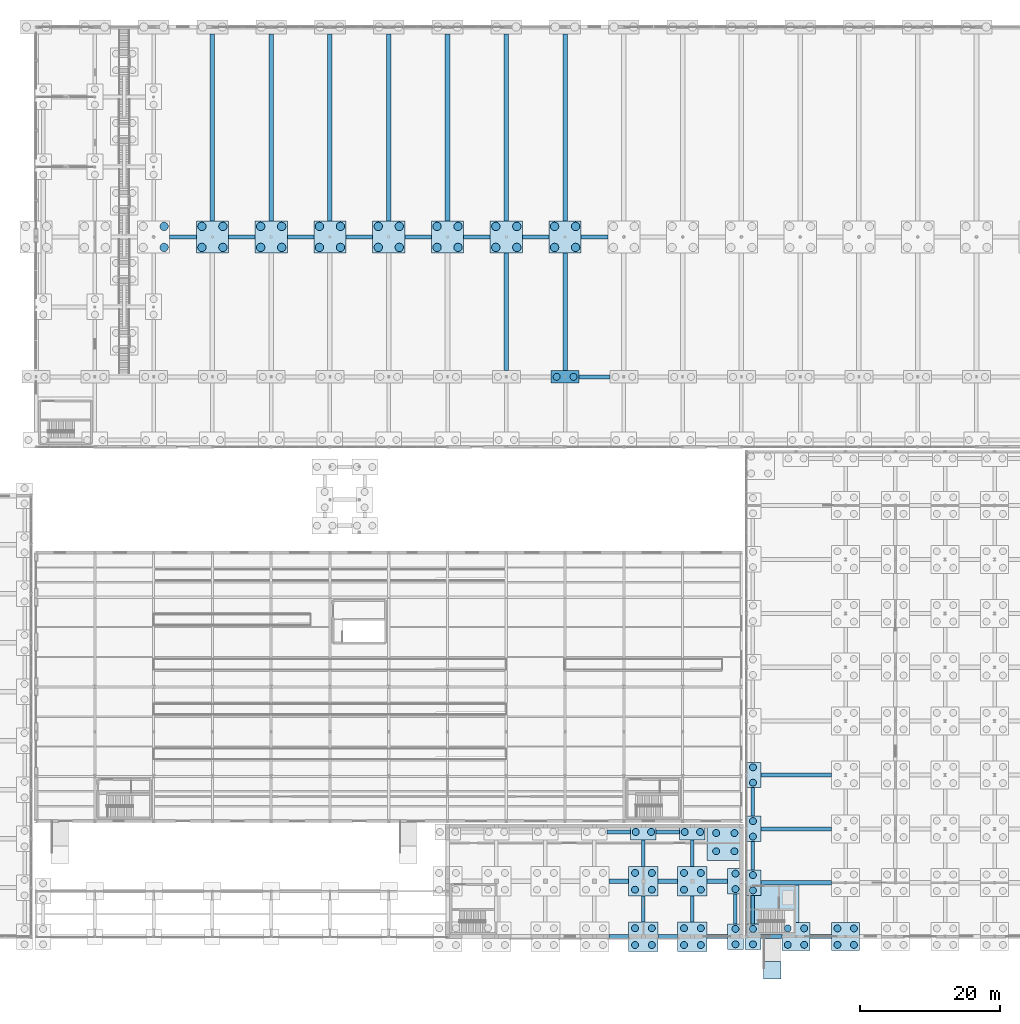
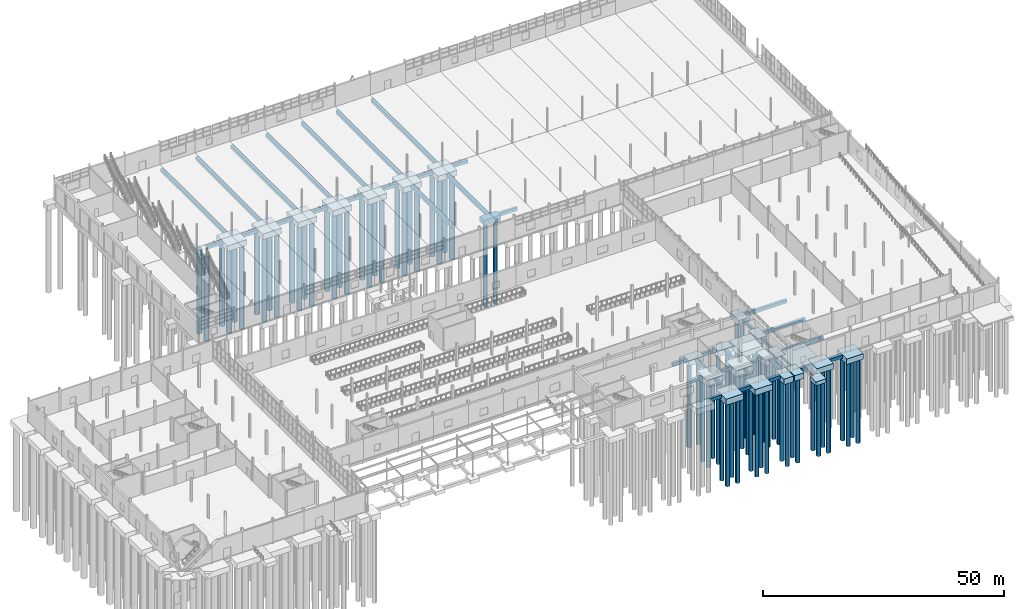
# One storey, part 6 of 139: 76 piles, 64 footings.
"""IFC4 building model written with IfcOpenShell, lengths in metres."""

from ifc_helpers import new_model, si_unit, direction, frame, origin, origin_2d, place, context, subcontext, project, spatial, polyline, rectangle, circle, outline, extrude, material, material_profile, profile_set, type_object, element, save


model = new_model("IFC4")

# Units and contexts
model_context = context("Model", 3, precision=1e-05, world=origin(), true_north=direction((0.0, 1.0)))
body_context = subcontext(model_context, "Body", "Model", "MODEL_VIEW")
ifc_project = project(units=[si_unit("LENGTHUNIT", "METRE"), si_unit("AREAUNIT", "SQUARE_METRE"), si_unit("VOLUMEUNIT", "CUBIC_METRE"), si_unit("PLANEANGLEUNIT", "RADIAN"), si_unit("MASSUNIT", "GRAM", prefix="KILO")], contexts=[model_context])

# Site, building, storey
site_placement = place(None, origin())
site = spatial("IfcSite", under=ifc_project, at=site_placement, CompositionType="ELEMENT")
building_placement = place(site_placement, origin())
building = spatial("IfcBuilding", under=site, at=building_placement, Name="Kazenagashi Tramway Depot", CompositionType="ELEMENT")
storey_placement = place(building_placement, origin())
storey = spatial("IfcBuildingStorey", under=building, at=storey_placement, Name="L01", CompositionType="ELEMENT", Elevation=0.0)

# Piles
ifc_material = material(Name="Concrete Fc30", Category="concrete")
ifc_material_profile_1 = material_profile(ifc_material, circle(Radius=0.5, at=origin_2d()), Name="PILE-1000")
ifc_profile_set_1 = profile_set([ifc_material_profile_1], Name="Concrete Fc30")
pile_type_1 = type_object("IfcPileType", Name="BP-01", PredefinedType="BORED", material=ifc_profile_set_1)
for number, where, z_axis, x_axis, name in (
    (1, (119.2, 80.0, -1.65), (0.0, 0.0, -1.0), (1.0, 0.0, 0.0), "Bored Pile BP-01 PILE-0171"),
    (2, (121.6, 80.0, -1.65), (0.0, 0.0, -1.0), (1.0, 0.0, 0.0), "Bored Pile BP-01 PILE-0172"),
    (3, (147.25, -1.1, -1.65), (0.0, 0.0, -1.0), (1.0, 0.0, 0.0), "Bored Pile BP-01 PILE-0479"),
    (4, (147.25, 1.1, -1.65), (0.0, 0.0, -1.0), (1.0, 0.0, 0.0), "Bored Pile BP-01 PILE-0480"),
    (5, (147.25, 6.6, -1.65), (0.0, 0.0, -1.0), (1.0, 0.0, 0.0), "Bored Pile BP-01 PILE-0481"),
    (6, (147.25, 8.8, -1.65), (0.0, 0.0, -1.0), (1.0, 0.0, 0.0), "Bored Pile BP-01 PILE-0482"),
    (7, (147.25, 14.3, -1.65), (0.0, 0.0, -1.0), (1.0, 0.0, 0.0), "Bored Pile BP-01 PILE-0483"),
    (8, (147.25, 16.5, -1.65), (0.0, 0.0, -1.0), (1.0, 0.0, 0.0), "Bored Pile BP-01 PILE-0484"),
    (9, (147.25, 22.0, -1.65), (0.0, 0.0, -1.0), (1.0, 0.0, 0.0), "Bored Pile BP-01 PILE-0485"),
    (10, (147.25, 24.2, -1.65), (0.0, 0.0, -1.0), (1.0, 0.0, 0.0), "Bored Pile BP-01 PILE-0486"),
    (11, (152.225, -1.175, -1.65), (0.0, 0.0, -1.0), (1.0, 0.0, 0.0), "Bored Pile BP-01 PILE-0501"),
    (12, (154.575, -1.175, -1.65), (0.0, 0.0, -1.0), (1.0, 0.0, 0.0), "Bored Pile BP-01 PILE-0502"),
    (13, (152.225, 1.175, -1.65), (0.0, 0.0, -1.0), (1.0, 0.0, 0.0), "Bored Pile BP-01 PILE-0503"),
    (14, (154.575, 1.175, -1.65), (0.0, 0.0, -1.0), (1.0, 0.0, 0.0), "Bored Pile BP-01 PILE-0504"),
    (15, (159.325, -1.175, -1.65), (0.0, 0.0, -1.0), (1.0, 0.0, 0.0), "Bored Pile BP-01 PILE-0507"),
    (16, (161.675, -1.175, -1.65), (0.0, 0.0, -1.0), (1.0, 0.0, 0.0), "Bored Pile BP-01 PILE-0508"),
    (17, (159.325, 1.175, -1.65), (0.0, 0.0, -1.0), (1.0, 0.0, 0.0), "Bored Pile BP-01 PILE-0509"),
    (18, (161.675, 1.175, -1.65), (0.0, 0.0, -1.0), (1.0, 0.0, 0.0), "Bored Pile BP-01 PILE-0510"),
):
    element("IfcPile", number, at=place(storey_placement, frame(where, z_axis=z_axis, x_axis=x_axis)), inside=storey, type_object=pile_type_1, Name=name, PredefinedType="BORED", context=body_context, shape_type="SweptSolid", body=[
        extrude(circle(Radius=0.5, at=origin_2d()), origin(), (0.0, 0.0, 1.0), 21.35),
    ])
for number, where, z_axis, x_axis, name in (
    (19, (130.4, -1.2, -1.75), (0.0, 0.0, -1.0), (1.0, 0.0, 0.0), "Bored Pile BP-01 PILE-0987"),
    (20, (132.8, -1.2, -1.75), (0.0, 0.0, -1.0), (1.0, 0.0, 0.0), "Bored Pile BP-01 PILE-0988"),
    (21, (130.4, 1.2, -1.75), (0.0, 0.0, -1.0), (1.0, 0.0, 0.0), "Bored Pile BP-01 PILE-0989"),
    (22, (132.8, 1.2, -1.75), (0.0, 0.0, -1.0), (1.0, 0.0, 0.0), "Bored Pile BP-01 PILE-0990"),
    (23, (130.4, 6.7, -1.75), (0.0, 0.0, -1.0), (1.0, 0.0, 0.0), "Bored Pile BP-01 PILE-0991"),
    (24, (132.8, 6.7, -1.75), (0.0, 0.0, -1.0), (1.0, 0.0, 0.0), "Bored Pile BP-01 PILE-0992"),
    (25, (130.4, 9.1, -1.75), (0.0, 0.0, -1.0), (1.0, 0.0, 0.0), "Bored Pile BP-01 PILE-0993"),
    (26, (132.8, 9.1, -1.75), (0.0, 0.0, -1.0), (1.0, 0.0, 0.0), "Bored Pile BP-01 PILE-0994"),
):
    element("IfcPile", number, at=place(storey_placement, frame(where, z_axis=z_axis, x_axis=x_axis)), inside=storey, type_object=pile_type_1, Name=name, PredefinedType="BORED", context=body_context, shape_type="SweptSolid", body=[
        extrude(circle(Radius=0.5, at=origin_2d()), origin(), (0.0, 0.0, 1.0), 21.25),
    ])
for number, where, z_axis, x_axis, name in (
    (27, (130.5, 14.95, -1.65), (0.0, 0.0, -1.0), (1.0, 0.0, 0.0), "Bored Pile BP-01 PILE-0995"),
    (28, (132.7, 14.95, -1.65), (0.0, 0.0, -1.0), (1.0, 0.0, 0.0), "Bored Pile BP-01 PILE-0996"),
):
    element("IfcPile", number, at=place(storey_placement, frame(where, z_axis=z_axis, x_axis=x_axis)), inside=storey, type_object=pile_type_1, Name=name, PredefinedType="BORED", context=body_context, shape_type="SweptSolid", body=[
        extrude(circle(Radius=0.5, at=origin_2d()), origin(), (0.0, 0.0, 1.0), 21.35),
    ])
for number, where, z_axis, x_axis, name in (
    (29, (137.4, -1.2, -1.75), (0.0, 0.0, -1.0), (1.0, 0.0, 0.0), "Bored Pile BP-01 PILE-0997"),
    (30, (139.8, -1.2, -1.75), (0.0, 0.0, -1.0), (1.0, 0.0, 0.0), "Bored Pile BP-01 PILE-0998"),
    (31, (137.4, 1.2, -1.75), (0.0, 0.0, -1.0), (1.0, 0.0, 0.0), "Bored Pile BP-01 PILE-0999"),
    (32, (139.8, 1.2, -1.75), (0.0, 0.0, -1.0), (1.0, 0.0, 0.0), "Bored Pile BP-01 PILE-1000"),
    (33, (137.4, 6.7, -1.75), (0.0, 0.0, -1.0), (1.0, 0.0, 0.0), "Bored Pile BP-01 PILE-1001"),
    (34, (139.8, 6.7, -1.75), (0.0, 0.0, -1.0), (1.0, 0.0, 0.0), "Bored Pile BP-01 PILE-1002"),
    (35, (137.4, 9.1, -1.75), (0.0, 0.0, -1.0), (1.0, 0.0, 0.0), "Bored Pile BP-01 PILE-1003"),
    (36, (139.8, 9.1, -1.75), (0.0, 0.0, -1.0), (1.0, 0.0, 0.0), "Bored Pile BP-01 PILE-1004"),
):
    element("IfcPile", number, at=place(storey_placement, frame(where, z_axis=z_axis, x_axis=x_axis)), inside=storey, type_object=pile_type_1, Name=name, PredefinedType="BORED", context=body_context, shape_type="SweptSolid", body=[
        extrude(circle(Radius=0.5, at=origin_2d()), origin(), (0.0, 0.0, 1.0), 21.25),
    ])
for number, where, z_axis, x_axis, name in (
    (37, (137.5, 14.95, -1.65), (0.0, 0.0, -1.0), (1.0, 0.0, 0.0), "Bored Pile BP-01 PILE-1005"),
    (38, (139.7, 14.95, -1.65), (0.0, 0.0, -1.0), (1.0, 0.0, 0.0), "Bored Pile BP-01 PILE-1006"),
    (39, (144.75, -1.1, -1.65), (0.0, 0.0, -1.0), (1.0, 0.0, 0.0), "Bored Pile BP-01 PILE-1007"),
    (40, (144.75, 1.1, -1.65), (0.0, 0.0, -1.0), (1.0, 0.0, 0.0), "Bored Pile BP-01 PILE-1008"),
    (41, (144.75, 6.8, -1.65), (0.0, 0.0, -1.0), (1.0, 0.0, 0.0), "Bored Pile BP-01 PILE-1009"),
    (42, (144.75, 9.0, -1.65), (0.0, 0.0, -1.0), (1.0, 0.0, 0.0), "Bored Pile BP-01 PILE-1010"),
    (43, (142.0, 12.2, -1.65), (0.0, 0.0, -1.0), (1.0, 0.0, 0.0), "Bored Pile BP-01 PILE-1011"),
    (44, (144.6, 12.2, -1.65), (0.0, 0.0, -1.0), (1.0, 0.0, 0.0), "Bored Pile BP-01 PILE-1012"),
    (45, (142.0, 14.8, -1.65), (0.0, 0.0, -1.0), (1.0, 0.0, 0.0), "Bored Pile BP-01 PILE-1013"),
    (46, (144.6, 14.8, -1.65), (0.0, 0.0, -1.0), (1.0, 0.0, 0.0), "Bored Pile BP-01 PILE-1014"),
):
    element("IfcPile", number, at=place(storey_placement, frame(where, z_axis=z_axis, x_axis=x_axis)), inside=storey, type_object=pile_type_1, Name=name, PredefinedType="BORED", context=body_context, shape_type="SweptSolid", body=[
        extrude(circle(Radius=0.5, at=origin_2d()), origin(), (0.0, 0.0, 1.0), 21.35),
    ])
ifc_material_profile_2 = material_profile(ifc_material, circle(Radius=0.6, at=origin_2d()), Name="PILE-1200")
ifc_profile_set_2 = profile_set([ifc_material_profile_2], Name="Concrete Fc30")
pile_type_2 = type_object("IfcPileType", Name="BP-02", PredefinedType="BORED", material=ifc_profile_set_2)
for number, where, z_axis, x_axis, name in (
    (47, (63.1, 98.5, -1.65), (0.0, 0.0, -1.0), (1.0, 0.0, 0.0), "Bored Pile BP-02 PILE-0020"),
    (48, (63.1, 101.5, -1.65), (0.0, 0.0, -1.0), (1.0, 0.0, 0.0), "Bored Pile BP-02 PILE-0022"),
    (49, (68.5, 98.5, -1.65), (0.0, 0.0, -1.0), (1.0, 0.0, 0.0), "Bored Pile BP-02 PILE-0027"),
    (50, (71.5, 98.5, -1.65), (0.0, 0.0, -1.0), (1.0, 0.0, 0.0), "Bored Pile BP-02 PILE-0028"),
    (51, (68.5, 101.5, -1.65), (0.0, 0.0, -1.0), (1.0, 0.0, 0.0), "Bored Pile BP-02 PILE-0029"),
    (52, (71.5, 101.5, -1.65), (0.0, 0.0, -1.0), (1.0, 0.0, 0.0), "Bored Pile BP-02 PILE-0030"),
    (53, (76.9, 98.5, -1.65), (0.0, 0.0, -1.0), (1.0, 0.0, 0.0), "Bored Pile BP-02 PILE-0035"),
    (54, (79.9, 98.5, -1.65), (0.0, 0.0, -1.0), (1.0, 0.0, 0.0), "Bored Pile BP-02 PILE-0036"),
    (55, (76.9, 101.5, -1.65), (0.0, 0.0, -1.0), (1.0, 0.0, 0.0), "Bored Pile BP-02 PILE-0037"),
    (56, (79.9, 101.5, -1.65), (0.0, 0.0, -1.0), (1.0, 0.0, 0.0), "Bored Pile BP-02 PILE-0038"),
    (57, (85.3, 98.5, -1.65), (0.0, 0.0, -1.0), (1.0, 0.0, 0.0), "Bored Pile BP-02 PILE-0043"),
    (58, (88.3, 98.5, -1.65), (0.0, 0.0, -1.0), (1.0, 0.0, 0.0), "Bored Pile BP-02 PILE-0044"),
    (59, (85.3, 101.5, -1.65), (0.0, 0.0, -1.0), (1.0, 0.0, 0.0), "Bored Pile BP-02 PILE-0045"),
    (60, (88.3, 101.5, -1.65), (0.0, 0.0, -1.0), (1.0, 0.0, 0.0), "Bored Pile BP-02 PILE-0046"),
    (61, (93.7, 98.5, -1.65), (0.0, 0.0, -1.0), (1.0, 0.0, 0.0), "Bored Pile BP-02 PILE-0051"),
    (62, (96.7, 98.5, -1.65), (0.0, 0.0, -1.0), (1.0, 0.0, 0.0), "Bored Pile BP-02 PILE-0052"),
    (63, (93.7, 101.5, -1.65), (0.0, 0.0, -1.0), (1.0, 0.0, 0.0), "Bored Pile BP-02 PILE-0053"),
    (64, (96.7, 101.5, -1.65), (0.0, 0.0, -1.0), (1.0, 0.0, 0.0), "Bored Pile BP-02 PILE-0054"),
    (65, (102.1, 98.5, -1.65), (0.0, 0.0, -1.0), (1.0, 0.0, 0.0), "Bored Pile BP-02 PILE-0059"),
    (66, (105.1, 98.5, -1.65), (0.0, 0.0, -1.0), (1.0, 0.0, 0.0), "Bored Pile BP-02 PILE-0060"),
    (67, (102.1, 101.5, -1.65), (0.0, 0.0, -1.0), (1.0, 0.0, 0.0), "Bored Pile BP-02 PILE-0061"),
    (68, (105.1, 101.5, -1.65), (0.0, 0.0, -1.0), (1.0, 0.0, 0.0), "Bored Pile BP-02 PILE-0062"),
    (69, (110.5, 98.5, -1.65), (0.0, 0.0, -1.0), (1.0, 0.0, 0.0), "Bored Pile BP-02 PILE-0067"),
    (70, (113.5, 98.5, -1.65), (0.0, 0.0, -1.0), (1.0, 0.0, 0.0), "Bored Pile BP-02 PILE-0068"),
    (71, (110.5, 101.5, -1.65), (0.0, 0.0, -1.0), (1.0, 0.0, 0.0), "Bored Pile BP-02 PILE-0069"),
    (72, (113.5, 101.5, -1.65), (0.0, 0.0, -1.0), (1.0, 0.0, 0.0), "Bored Pile BP-02 PILE-0070"),
    (73, (118.9, 98.5, -1.65), (0.0, 0.0, -1.0), (1.0, 0.0, 0.0), "Bored Pile BP-02 PILE-0075"),
    (74, (121.9, 98.5, -1.65), (0.0, 0.0, -1.0), (1.0, 0.0, 0.0), "Bored Pile BP-02 PILE-0076"),
    (75, (118.9, 101.5, -1.65), (0.0, 0.0, -1.0), (1.0, 0.0, 0.0), "Bored Pile BP-02 PILE-0077"),
    (76, (121.9, 101.5, -1.65), (0.0, 0.0, -1.0), (1.0, 0.0, 0.0), "Bored Pile BP-02 PILE-0078"),
):
    element("IfcPile", number, at=place(storey_placement, frame(where, z_axis=z_axis, x_axis=x_axis)), inside=storey, type_object=pile_type_2, Name=name, PredefinedType="BORED", context=body_context, shape_type="SweptSolid", body=[
        extrude(circle(Radius=0.6, at=origin_2d()), origin(), (0.0, 0.0, 1.0), 21.35),
    ])

# Footings
footing_type_1 = type_object("IfcFootingType", Name="FB-01", PredefinedType="FOOTING_BEAM", material=ifc_material)
footing_1_placement = place(storey_placement, frame((0.0, 0.0, -1.15)))
element("IfcFooting", 77, at=footing_1_placement, inside=storey, type_object=footing_type_1, Name="Footing Tie Beam FB-0017", PredefinedType="FOOTING_BEAM", context=body_context, shape_type="SweptSolid", body=[
    extrude(outline(polyline([(126.7, -0.3), (129.5, -0.3), (129.5, 0.3), (126.7, 0.3), (126.7, -0.3)])), origin(), (0.0, 0.0, 1.0), 0.8),
])
footing_2_placement = place(storey_placement, frame((0.0, 0.0, -1.15)))
element("IfcFooting", 78, at=footing_2_placement, inside=storey, type_object=footing_type_1, Name="Footing Tie Beam FB-0018", PredefinedType="FOOTING_BEAM", context=body_context, shape_type="SweptSolid", body=[
    extrude(outline(polyline([(133.7, -0.3), (136.5, -0.3), (136.5, 0.3), (133.7, 0.3), (133.7, -0.3)])), origin(), (0.0, 0.0, 1.0), 0.8),
])
footing_3_placement = place(storey_placement, frame((0.0, 0.0, -1.15)))
element("IfcFooting", 79, at=footing_3_placement, inside=storey, type_object=footing_type_1, Name="Footing Tie Beam FB-0019", PredefinedType="FOOTING_BEAM", context=body_context, shape_type="SweptSolid", body=[
    extrude(outline(polyline([(140.7, -0.3), (143.6, -0.3), (143.6, 0.3), (140.7, 0.3), (140.7, -0.3)])), origin(), (0.0, 0.0, 1.0), 0.8),
])
footing_4_placement = place(storey_placement, frame((0.0, 0.0, -1.15)))
element("IfcFooting", 80, at=footing_4_placement, inside=storey, type_object=footing_type_1, Name="Footing Tie Beam FB-0020", PredefinedType="FOOTING_BEAM", context=body_context, shape_type="SweptSolid", body=[
    extrude(outline(polyline([(148.4, -0.3), (151.4, -0.3), (151.4, 0.3), (148.4, 0.3), (148.4, -0.3)])), origin(), (0.0, 0.0, 1.0), 0.8),
])
footing_5_placement = place(storey_placement, frame((0.0, 0.0, -1.15)))
element("IfcFooting", 81, at=footing_5_placement, inside=storey, type_object=footing_type_1, Name="Footing Tie Beam FB-0021", PredefinedType="FOOTING_BEAM", context=body_context, shape_type="SweptSolid", body=[
    extrude(outline(polyline([(155.4, -0.3), (158.5, -0.3), (158.5, 0.3), (155.4, 0.3), (155.4, -0.3)])), origin(), (0.0, 0.0, 1.0), 0.8),
])
footing_6_placement = place(storey_placement, frame((0.0, 0.0, -1.15)))
element("IfcFooting", 82, at=footing_6_placement, inside=storey, type_object=footing_type_1, Name="Footing Tie Beam FB-0037", PredefinedType="FOOTING_BEAM", context=body_context, shape_type="SweptSolid", body=[
    extrude(outline(polyline([(148.4, 7.4), (158.5, 7.4), (158.5, 8.0), (148.4, 8.0), (148.4, 7.4)])), origin(), (0.0, 0.0, 1.0), 0.8),
])
footing_7_placement = place(storey_placement, frame((0.0, 0.0, -1.15)))
element("IfcFooting", 83, at=footing_7_placement, inside=storey, type_object=footing_type_1, Name="Footing Tie Beam FB-0046", PredefinedType="FOOTING_BEAM", context=body_context, shape_type="SweptSolid", body=[
    extrude(outline(polyline([(126.7, 7.6), (129.5, 7.6), (129.5, 8.2), (126.7, 8.2), (126.7, 7.6)])), origin(), (0.0, 0.0, 1.0), 0.8),
])
footing_8_placement = place(storey_placement, frame((0.0, 0.0, -1.15)))
element("IfcFooting", 84, at=footing_8_placement, inside=storey, type_object=footing_type_1, Name="Footing Tie Beam FB-0047", PredefinedType="FOOTING_BEAM", context=body_context, shape_type="SweptSolid", body=[
    extrude(outline(polyline([(133.7, 7.6), (136.5, 7.6), (136.5, 8.2), (133.7, 8.2), (133.7, 7.6)])), origin(), (0.0, 0.0, 1.0), 0.8),
])
footing_9_placement = place(storey_placement, frame((0.0, 0.0, -1.15)))
element("IfcFooting", 85, at=footing_9_placement, inside=storey, type_object=footing_type_1, Name="Footing Tie Beam FB-0048", PredefinedType="FOOTING_BEAM", context=body_context, shape_type="SweptSolid", body=[
    extrude(outline(polyline([(140.7, 7.6), (143.6, 7.6), (143.6, 8.2), (140.7, 8.2), (140.7, 7.6)])), origin(), (0.0, 0.0, 1.0), 0.8),
])
footing_10_placement = place(storey_placement, frame((0.0, 0.0, -1.15)))
element("IfcFooting", 86, at=footing_10_placement, inside=storey, type_object=footing_type_1, Name="Footing Tie Beam FB-0056", PredefinedType="FOOTING_BEAM", context=body_context, shape_type="SweptSolid", body=[
    extrude(outline(polyline([(126.42, 14.65), (129.78, 14.65), (129.78, 15.25), (126.42, 15.25), (126.42, 14.65)])), origin(), (0.0, 0.0, 1.0), 0.8),
])
footing_11_placement = place(storey_placement, frame((0.0, 0.0, -1.15)))
element("IfcFooting", 87, at=footing_11_placement, inside=storey, type_object=footing_type_1, Name="Footing Tie Beam FB-0057", PredefinedType="FOOTING_BEAM", context=body_context, shape_type="SweptSolid", body=[
    extrude(outline(polyline([(133.42, 14.65), (136.78, 14.65), (136.78, 15.25), (133.42, 15.25), (133.42, 14.65)])), origin(), (0.0, 0.0, 1.0), 0.8),
])
footing_12_placement = place(storey_placement, frame((0.0, 0.0, -1.15)))
element("IfcFooting", 88, at=footing_12_placement, inside=storey, type_object=footing_type_1, Name="Footing Tie Beam FB-0058", PredefinedType="FOOTING_BEAM", context=body_context, shape_type="SweptSolid", body=[
    extrude(outline(polyline([(148.4, 15.1), (158.5, 15.1), (158.5, 15.7), (148.4, 15.7), (148.4, 15.1)])), origin(), (0.0, 0.0, 1.0), 0.8),
])
footing_13_placement = place(storey_placement, frame((0.0, 0.0, -1.15)))
element("IfcFooting", 89, at=footing_13_placement, inside=storey, type_object=footing_type_1, Name="Footing Tie Beam FB-0067", PredefinedType="FOOTING_BEAM", context=body_context, shape_type="SweptSolid", body=[
    extrude(outline(polyline([(148.4, 22.8), (158.5, 22.8), (158.5, 23.4), (148.4, 23.4), (148.4, 22.8)])), origin(), (0.0, 0.0, 1.0), 0.8),
])
footing_14_placement = place(storey_placement, frame((0.0, 0.0, -1.15)))
element("IfcFooting", 90, at=footing_14_placement, inside=storey, type_object=footing_type_1, Name="Footing Tie Beam FB-0170", PredefinedType="FOOTING_BEAM", context=body_context, shape_type="SweptSolid", body=[
    extrude(outline(polyline([(122.4, 79.7), (126.8, 79.7), (126.8, 80.3), (122.4, 80.3), (122.4, 79.7)])), origin(), (0.0, 0.0, 1.0), 0.8),
])
footing_15_placement = place(storey_placement, frame((0.0, 0.0, -1.15)))
element("IfcFooting", 91, at=footing_15_placement, inside=storey, type_object=footing_type_1, Name="Footing Tie Beam FB-0183", PredefinedType="FOOTING_BEAM", context=body_context, shape_type="SweptSolid", body=[
    extrude(outline(polyline([(63.9, 99.7), (67.7, 99.7), (67.7, 100.3), (63.9, 100.3), (63.9, 99.7)])), origin(), (0.0, 0.0, 1.0), 0.8),
])
footing_16_placement = place(storey_placement, frame((0.0, 0.0, -1.15)))
element("IfcFooting", 92, at=footing_16_placement, inside=storey, type_object=footing_type_1, Name="Footing Tie Beam FB-0184", PredefinedType="FOOTING_BEAM", context=body_context, shape_type="SweptSolid", body=[
    extrude(outline(polyline([(72.3, 99.7), (76.1, 99.7), (76.1, 100.3), (72.3, 100.3), (72.3, 99.7)])), origin(), (0.0, 0.0, 1.0), 0.8),
])
footing_17_placement = place(storey_placement, frame((0.0, 0.0, -1.15)))
element("IfcFooting", 93, at=footing_17_placement, inside=storey, type_object=footing_type_1, Name="Footing Tie Beam FB-0185", PredefinedType="FOOTING_BEAM", context=body_context, shape_type="SweptSolid", body=[
    extrude(outline(polyline([(80.7, 99.7), (84.5, 99.7), (84.5, 100.3), (80.7, 100.3), (80.7, 99.7)])), origin(), (0.0, 0.0, 1.0), 0.8),
])
footing_18_placement = place(storey_placement, frame((0.0, 0.0, -1.15)))
element("IfcFooting", 94, at=footing_18_placement, inside=storey, type_object=footing_type_1, Name="Footing Tie Beam FB-0186", PredefinedType="FOOTING_BEAM", context=body_context, shape_type="SweptSolid", body=[
    extrude(outline(polyline([(89.1, 99.7), (92.9, 99.7), (92.9, 100.3), (89.1, 100.3), (89.1, 99.7)])), origin(), (0.0, 0.0, 1.0), 0.8),
])
footing_19_placement = place(storey_placement, frame((0.0, 0.0, -1.15)))
element("IfcFooting", 95, at=footing_19_placement, inside=storey, type_object=footing_type_1, Name="Footing Tie Beam FB-0187", PredefinedType="FOOTING_BEAM", context=body_context, shape_type="SweptSolid", body=[
    extrude(outline(polyline([(97.5, 99.7), (101.3, 99.7), (101.3, 100.3), (97.5, 100.3), (97.5, 99.7)])), origin(), (0.0, 0.0, 1.0), 0.8),
])
footing_20_placement = place(storey_placement, frame((0.0, 0.0, -1.15)))
element("IfcFooting", 96, at=footing_20_placement, inside=storey, type_object=footing_type_1, Name="Footing Tie Beam FB-0188", PredefinedType="FOOTING_BEAM", context=body_context, shape_type="SweptSolid", body=[
    extrude(outline(polyline([(105.9, 99.7), (109.7, 99.7), (109.7, 100.3), (105.9, 100.3), (105.9, 99.7)])), origin(), (0.0, 0.0, 1.0), 0.8),
])
footing_21_placement = place(storey_placement, frame((0.0, 0.0, -1.15)))
element("IfcFooting", 97, at=footing_21_placement, inside=storey, type_object=footing_type_1, Name="Footing Tie Beam FB-0189", PredefinedType="FOOTING_BEAM", context=body_context, shape_type="SweptSolid", body=[
    extrude(outline(polyline([(114.3, 99.7), (118.1, 99.7), (118.1, 100.3), (114.3, 100.3), (114.3, 99.7)])), origin(), (0.0, 0.0, 1.0), 0.8),
])
footing_22_placement = place(storey_placement, frame((0.0, 0.0, -1.15)))
element("IfcFooting", 98, at=footing_22_placement, inside=storey, type_object=footing_type_1, Name="Footing Tie Beam FB-0190", PredefinedType="FOOTING_BEAM", context=body_context, shape_type="SweptSolid", body=[
    extrude(outline(polyline([(122.7, 99.7), (126.5, 99.7), (126.5, 100.3), (122.7, 100.3), (122.7, 99.7)])), origin(), (0.0, 0.0, 1.0), 0.8),
])
footing_type_2 = type_object("IfcFootingType", Name="FB-03", PredefinedType="FOOTING_BEAM", material=ifc_material)
footing_23_placement = place(storey_placement, frame((0.0, 0.0, -1.1)))
element("IfcFooting", 99, at=footing_23_placement, inside=storey, type_object=footing_type_2, Name="Footing Tie Beam FB-0342", PredefinedType="FOOTING_BEAM", context=body_context, shape_type="SweptSolid", body=[
    extrude(outline(polyline([(131.35, 2.1), (131.85, 2.1), (131.85, 5.8), (131.35, 5.8), (131.35, 2.1)])), origin(), (0.0, 0.0, 1.0), 0.75),
])
footing_24_placement = place(storey_placement, frame((0.0, 0.0, -1.1)))
element("IfcFooting", 100, at=footing_24_placement, inside=storey, type_object=footing_type_2, Name="Footing Tie Beam FB-0343", PredefinedType="FOOTING_BEAM", context=body_context, shape_type="SweptSolid", body=[
    extrude(outline(polyline([(131.35, 10.0), (131.85, 10.0), (131.85, 13.8), (131.35, 13.8), (131.35, 10.0)])), origin(), (0.0, 0.0, 1.0), 0.75),
])
footing_25_placement = place(storey_placement, frame((0.0, 0.0, -1.1)))
element("IfcFooting", 101, at=footing_25_placement, inside=storey, type_object=footing_type_2, Name="Footing Tie Beam FB-0347", PredefinedType="FOOTING_BEAM", context=body_context, shape_type="SweptSolid", body=[
    extrude(outline(polyline([(138.35, 2.1), (138.85, 2.1), (138.85, 5.8), (138.35, 5.8), (138.35, 2.1)])), origin(), (0.0, 0.0, 1.0), 0.75),
])
footing_26_placement = place(storey_placement, frame((0.0, 0.0, -1.1)))
element("IfcFooting", 102, at=footing_26_placement, inside=storey, type_object=footing_type_2, Name="Footing Tie Beam FB-0348", PredefinedType="FOOTING_BEAM", context=body_context, shape_type="SweptSolid", body=[
    extrude(outline(polyline([(138.35, 10.0), (138.85, 10.0), (138.85, 13.8), (138.35, 13.8), (138.35, 10.0)])), origin(), (0.0, 0.0, 1.0), 0.75),
])
footing_27_placement = place(storey_placement, frame((0.0, 0.0, -1.1)))
element("IfcFooting", 103, at=footing_27_placement, inside=storey, type_object=footing_type_2, Name="Footing Tie Beam FB-0349", PredefinedType="FOOTING_BEAM", context=body_context, shape_type="SweptSolid", body=[
    extrude(outline(polyline([(144.5, 1.82), (145.0, 1.82), (145.0, 6.08), (144.5, 6.08), (144.5, 1.82)])), origin(), (0.0, 0.0, 1.0), 0.75),
])
footing_28_placement = place(storey_placement, frame((0.0, 0.0, -1.1)))
element("IfcFooting", 104, at=footing_28_placement, inside=storey, type_object=footing_type_2, Name="Footing Tie Beam FB-0353", PredefinedType="FOOTING_BEAM", context=body_context, shape_type="SweptSolid", body=[
    extrude(outline(polyline([(147.0, 1.82), (147.5, 1.82), (147.5, 5.88), (147.0, 5.88), (147.0, 1.82)])), origin(), (0.0, 0.0, 1.0), 0.75),
])
footing_29_placement = place(storey_placement, frame((0.0, 0.0, -1.1)))
element("IfcFooting", 105, at=footing_29_placement, inside=storey, type_object=footing_type_2, Name="Footing Tie Beam FB-0354", PredefinedType="FOOTING_BEAM", context=body_context, shape_type="SweptSolid", body=[
    extrude(outline(polyline([(147.0, 9.52), (147.5, 9.52), (147.5, 13.58), (147.0, 13.58), (147.0, 9.52)])), origin(), (0.0, 0.0, 1.0), 0.75),
])
footing_30_placement = place(storey_placement, frame((0.0, 0.0, -1.1)))
element("IfcFooting", 106, at=footing_30_placement, inside=storey, type_object=footing_type_2, Name="Footing Tie Beam FB-0355", PredefinedType="FOOTING_BEAM", context=body_context, shape_type="SweptSolid", body=[
    extrude(outline(polyline([(147.0, 17.22), (147.5, 17.22), (147.5, 21.28), (147.0, 21.28), (147.0, 17.22)])), origin(), (0.0, 0.0, 1.0), 0.75),
])
footing_type_3 = type_object("IfcFootingType", Name="FB-04", PredefinedType="FOOTING_BEAM", material=ifc_material)
footing_31_placement = place(storey_placement, frame((0.0, 0.0, -1.2)))
element("IfcFooting", 107, at=footing_31_placement, inside=storey, type_object=footing_type_3, Name="Footing Tie Beam FB-0305", PredefinedType="FOOTING_BEAM", context=body_context, shape_type="SweptSolid", body=[
    extrude(outline(polyline([(69.675, 102.3), (70.325, 102.3), (70.325, 129.0), (69.675, 129.0), (69.675, 102.3)])), origin(), (0.0, 0.0, 1.0), 0.85),
])
footing_32_placement = place(storey_placement, frame((0.0, 0.0, -1.2)))
element("IfcFooting", 108, at=footing_32_placement, inside=storey, type_object=footing_type_3, Name="Footing Tie Beam FB-0309", PredefinedType="FOOTING_BEAM", context=body_context, shape_type="SweptSolid", body=[
    extrude(outline(polyline([(78.075, 102.3), (78.725, 102.3), (78.725, 129.0), (78.075, 129.0), (78.075, 102.3)])), origin(), (0.0, 0.0, 1.0), 0.85),
])
footing_33_placement = place(storey_placement, frame((0.0, 0.0, -1.2)))
element("IfcFooting", 109, at=footing_33_placement, inside=storey, type_object=footing_type_3, Name="Footing Tie Beam FB-0315", PredefinedType="FOOTING_BEAM", context=body_context, shape_type="SweptSolid", body=[
    extrude(outline(polyline([(86.475, 102.3), (87.125, 102.3), (87.125, 129.0), (86.475, 129.0), (86.475, 102.3)])), origin(), (0.0, 0.0, 1.0), 0.85),
])
footing_34_placement = place(storey_placement, frame((0.0, 0.0, -1.2)))
element("IfcFooting", 110, at=footing_34_placement, inside=storey, type_object=footing_type_3, Name="Footing Tie Beam FB-0321", PredefinedType="FOOTING_BEAM", context=body_context, shape_type="SweptSolid", body=[
    extrude(outline(polyline([(94.875, 102.3), (95.525, 102.3), (95.525, 129.0), (94.875, 129.0), (94.875, 102.3)])), origin(), (0.0, 0.0, 1.0), 0.85),
])
footing_35_placement = place(storey_placement, frame((0.0, 0.0, -1.2)))
element("IfcFooting", 111, at=footing_35_placement, inside=storey, type_object=footing_type_3, Name="Footing Tie Beam FB-0326", PredefinedType="FOOTING_BEAM", context=body_context, shape_type="SweptSolid", body=[
    extrude(outline(polyline([(103.275, 102.3), (103.925, 102.3), (103.925, 129.0), (103.275, 129.0), (103.275, 102.3)])), origin(), (0.0, 0.0, 1.0), 0.85),
])
footing_36_placement = place(storey_placement, frame((0.0, 0.0, -1.2)))
element("IfcFooting", 112, at=footing_36_placement, inside=storey, type_object=footing_type_3, Name="Footing Tie Beam FB-0330", PredefinedType="FOOTING_BEAM", context=body_context, shape_type="SweptSolid", body=[
    extrude(outline(polyline([(111.675, 80.9), (112.325, 80.9), (112.325, 97.7), (111.675, 97.7), (111.675, 80.9)])), origin(), (0.0, 0.0, 1.0), 0.85),
])
footing_37_placement = place(storey_placement, frame((0.0, 0.0, -1.2)))
element("IfcFooting", 113, at=footing_37_placement, inside=storey, type_object=footing_type_3, Name="Footing Tie Beam FB-0331", PredefinedType="FOOTING_BEAM", context=body_context, shape_type="SweptSolid", body=[
    extrude(outline(polyline([(111.675, 102.3), (112.325, 102.3), (112.325, 129.0), (111.675, 129.0), (111.675, 102.3)])), origin(), (0.0, 0.0, 1.0), 0.85),
])
footing_38_placement = place(storey_placement, frame((0.0, 0.0, -1.2)))
element("IfcFooting", 114, at=footing_38_placement, inside=storey, type_object=footing_type_3, Name="Footing Tie Beam FB-0335", PredefinedType="FOOTING_BEAM", context=body_context, shape_type="SweptSolid", body=[
    extrude(outline(polyline([(120.075, 80.9), (120.725, 80.9), (120.725, 97.7), (120.075, 97.7), (120.075, 80.9)])), origin(), (0.0, 0.0, 1.0), 0.85),
])
footing_39_placement = place(storey_placement, frame((0.0, 0.0, -1.2)))
element("IfcFooting", 115, at=footing_39_placement, inside=storey, type_object=footing_type_3, Name="Footing Tie Beam FB-0336", PredefinedType="FOOTING_BEAM", context=body_context, shape_type="SweptSolid", body=[
    extrude(outline(polyline([(120.075, 102.3), (120.725, 102.3), (120.725, 129.0), (120.075, 129.0), (120.075, 102.3)])), origin(), (0.0, 0.0, 1.0), 0.85),
])
footing_type_4 = type_object("IfcFootingType", Name="PC-01", PredefinedType="PILE_CAP", material=ifc_material)
footing_40_placement = place(storey_placement, frame((120.4, 80.0, -1.75), z_axis=(0.0, 0.0, 1.0), x_axis=(1.0, 0.0, 0.0)))
element("IfcFooting", 116, at=footing_40_placement, inside=storey, type_object=footing_type_4, Name="Pile Cap PC-01 CAP-067", PredefinedType="PILE_CAP", context=body_context, shape_type="SweptSolid", body=[
    extrude(rectangle(XDim=4.0, YDim=1.8, at=origin_2d()), origin(), (0.0, 0.0, 1.0), 1.4),
])
footing_type_5 = type_object("IfcFootingType", Name="PC-03", PredefinedType="PILE_CAP", material=ifc_material)
for number, where, z_axis, x_axis, name in (
    (117, (153.4, 0.0, -1.75), (0.0, 0.0, 1.0), (1.0, 0.0, 0.0), "Pile Cap PC-03 CAP-174"),
    (118, (160.5, 0.0, -1.75), (0.0, 0.0, 1.0), (1.0, 0.0, 0.0), "Pile Cap PC-03 CAP-176"),
):
    element("IfcFooting", number, at=place(storey_placement, frame(where, z_axis=z_axis, x_axis=x_axis)), inside=storey, type_object=footing_type_5, Name=name, PredefinedType="PILE_CAP", context=body_context, shape_type="SweptSolid", body=[
        extrude(rectangle(XDim=4.0, YDim=4.0, at=origin_2d()), origin(), (0.0, 0.0, 1.0), 1.4),
    ])
footing_type_6 = type_object("IfcFootingType", Name="PC-04", PredefinedType="PILE_CAP", material=ifc_material)
for number, where, z_axis, x_axis, name in (
    (119, (70.0, 100.0, -1.75), (0.0, 0.0, 1.0), (1.0, 0.0, 0.0), "Pile Cap PC-04 CAP-011"),
    (120, (78.4, 100.0, -1.75), (0.0, 0.0, 1.0), (1.0, 0.0, 0.0), "Pile Cap PC-04 CAP-014"),
    (121, (86.8, 100.0, -1.75), (0.0, 0.0, 1.0), (1.0, 0.0, 0.0), "Pile Cap PC-04 CAP-017"),
    (122, (95.2, 100.0, -1.75), (0.0, 0.0, 1.0), (1.0, 0.0, 0.0), "Pile Cap PC-04 CAP-020"),
    (123, (103.6, 100.0, -1.75), (0.0, 0.0, 1.0), (1.0, 0.0, 0.0), "Pile Cap PC-04 CAP-023"),
    (124, (112.0, 100.0, -1.75), (0.0, 0.0, 1.0), (1.0, 0.0, 0.0), "Pile Cap PC-04 CAP-026"),
    (125, (120.4, 100.0, -1.75), (0.0, 0.0, 1.0), (1.0, 0.0, 0.0), "Pile Cap PC-04 CAP-029"),
):
    element("IfcFooting", number, at=place(storey_placement, frame(where, z_axis=z_axis, x_axis=x_axis)), inside=storey, type_object=footing_type_6, Name=name, PredefinedType="PILE_CAP", context=body_context, shape_type="SweptSolid", body=[
        extrude(rectangle(XDim=4.6, YDim=4.6, at=origin_2d()), origin(), (0.0, 0.0, 1.0), 1.4),
    ])
footing_type_7 = type_object("IfcFootingType", Name="PC-08", PredefinedType="PILE_CAP", material=ifc_material)
for number, where, z_axis, x_axis, name in (
    (126, (131.6, 0.0, -1.85), (0.0, 0.0, 1.0), (1.0, 0.0, 0.0), "Pile Cap PC-08 CAP-306"),
    (127, (131.6, 7.9, -1.85), (0.0, 0.0, 1.0), (1.0, 0.0, 0.0), "Pile Cap PC-08 CAP-307"),
    (128, (138.6, 0.0, -1.85), (0.0, 0.0, 1.0), (1.0, 0.0, 0.0), "Pile Cap PC-08 CAP-309"),
    (129, (138.6, 7.9, -1.85), (0.0, 0.0, 1.0), (1.0, 0.0, 0.0), "Pile Cap PC-08 CAP-310"),
):
    element("IfcFooting", number, at=place(storey_placement, frame(where, z_axis=z_axis, x_axis=x_axis)), inside=storey, type_object=footing_type_7, Name=name, PredefinedType="PILE_CAP", context=body_context, shape_type="SweptSolid", body=[
        extrude(rectangle(XDim=4.2, YDim=4.2, at=origin_2d()), origin(), (0.0, 0.0, 1.0), 1.5),
    ])
footing_type_8 = type_object("IfcFootingType", Name="PC-10", PredefinedType="PILE_CAP", material=ifc_material)
footing_41_placement = place(storey_placement, frame((143.3, 13.5, -1.75), z_axis=(0.0, 0.0, 1.0), x_axis=(1.0, 0.0, 0.0)))
element("IfcFooting", 130, at=footing_41_placement, inside=storey, type_object=footing_type_8, Name="Pile Cap PC-10 CAP-314", PredefinedType="PILE_CAP", context=body_context, shape_type="SweptSolid", body=[
    extrude(rectangle(XDim=5.2, YDim=5.2, at=origin_2d()), origin(), (0.0, 0.0, 1.0), 1.4),
])
footing_type_9 = type_object("IfcFootingType", Name="PC-11", PredefinedType="PILE_CAP", material=ifc_material)
for number, where, z_axis, x_axis, name in (
    (131, (147.25, 0.0, -1.75), (0.0, 0.0, 1.0), (1.0, 0.0, 0.0), "Pile Cap PC-11 CAP-164"),
    (132, (147.25, 7.7, -1.75), (0.0, 0.0, 1.0), (1.0, 0.0, 0.0), "Pile Cap PC-11 CAP-165"),
    (133, (147.25, 15.4, -1.75), (0.0, 0.0, 1.0), (1.0, 0.0, 0.0), "Pile Cap PC-11 CAP-166"),
    (134, (147.25, 23.1, -1.75), (0.0, 0.0, 1.0), (1.0, 0.0, 0.0), "Pile Cap PC-11 CAP-167"),
    (135, (144.75, 0.0, -1.75), (0.0, 0.0, 1.0), (1.0, 0.0, 0.0), "Pile Cap PC-11 CAP-312"),
    (136, (144.75, 7.9, -1.75), (0.0, 0.0, 1.0), (1.0, 0.0, 0.0), "Pile Cap PC-11 CAP-313"),
):
    element("IfcFooting", number, at=place(storey_placement, frame(where, z_axis=z_axis, x_axis=x_axis)), inside=storey, type_object=footing_type_9, Name=name, PredefinedType="PILE_CAP", context=body_context, shape_type="SweptSolid", body=[
        extrude(rectangle(XDim=2.3, YDim=3.64, at=origin_2d()), origin(), (0.0, 0.0, 1.0), 1.4),
    ])
footing_type_10 = type_object("IfcFootingType", Name="PC-12", PredefinedType="PILE_CAP", material=ifc_material)
for number, where, z_axis, x_axis, name in (
    (137, (131.6, 14.95, -1.75), (0.0, 0.0, 1.0), (1.0, 0.0, 0.0), "Pile Cap PC-12 CAP-308"),
    (138, (138.6, 14.95, -1.75), (0.0, 0.0, 1.0), (1.0, 0.0, 0.0), "Pile Cap PC-12 CAP-311"),
):
    element("IfcFooting", number, at=place(storey_placement, frame(where, z_axis=z_axis, x_axis=x_axis)), inside=storey, type_object=footing_type_10, Name=name, PredefinedType="PILE_CAP", context=body_context, shape_type="SweptSolid", body=[
        extrude(rectangle(XDim=3.64, YDim=2.3, at=origin_2d()), origin(), (0.0, 0.0, 1.0), 1.4),
    ])
footing_type_11 = type_object("IfcFootingType", Name="PF-02", PredefinedType="PAD_FOOTING", material=ifc_material)
footing_42_placement = place(storey_placement, frame((150.0, -4.8, -1.3), z_axis=(0.0, 0.0, 1.0), x_axis=(1.0, 0.0, 0.0)))
element("IfcFooting", 139, at=footing_42_placement, inside=storey, type_object=footing_type_11, Name="Ramp 6 Toe Pad Footing PAD-017", PredefinedType="PAD_FOOTING", context=body_context, shape_type="SweptSolid", body=[
    extrude(rectangle(XDim=2.5, YDim=2.5, at=origin_2d()), origin(), (0.0, 0.0, 1.0), 1.0),
])
footing_type_12 = type_object("IfcFootingType", Name="SF-02", PredefinedType="STRIP_FOOTING", material=ifc_material)
footing_43_placement = place(storey_placement, frame((0.0, 0.0, -1.2)))
element("IfcFooting", 140, at=footing_43_placement, inside=storey, type_object=footing_type_12, Name="Core Foundation Mat Strip SF-020", PredefinedType="STRIP_FOOTING", context=body_context, shape_type="SweptSolid", body=[
    extrude(outline(polyline([(146.2, -0.1), (153.8, -0.1), (153.8, 7.8), (146.2, 7.8), (146.2, -0.1)])), origin(), (0.0, 0.0, 1.0), 0.85),
])

save(model, "model.ifc")
